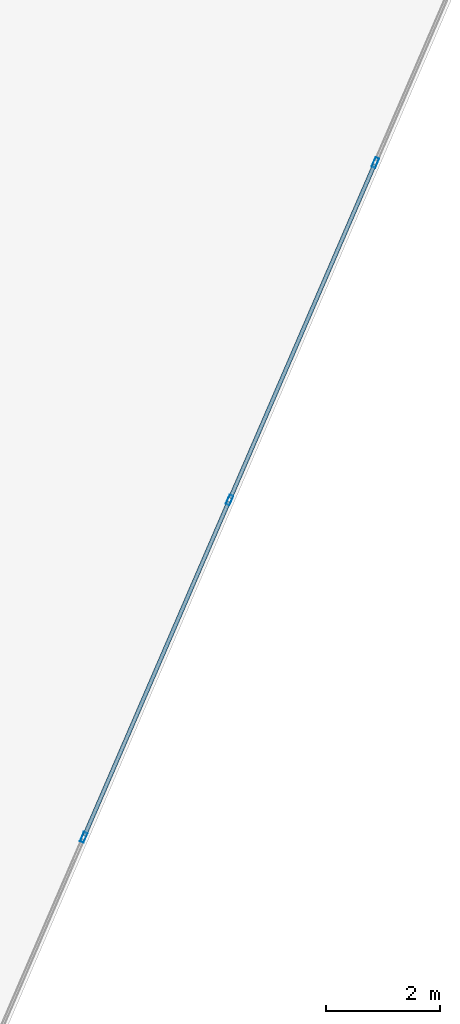
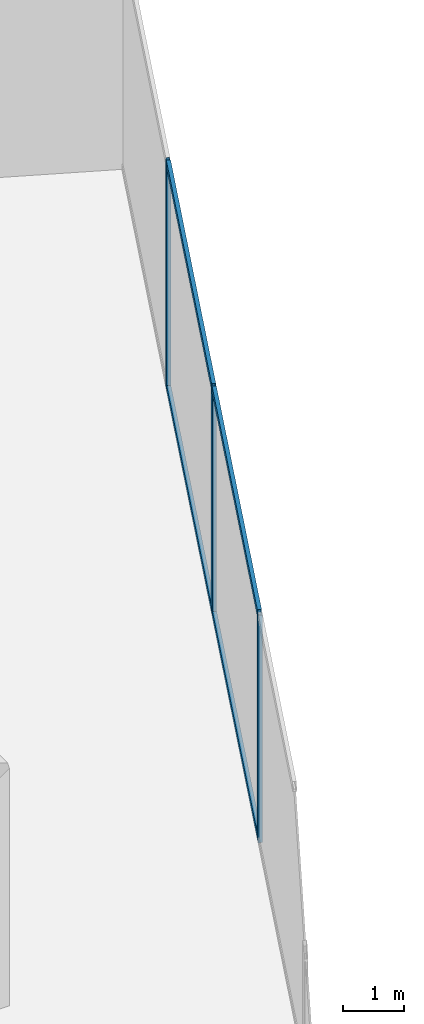
# One storey, part 11 of 24: 7 members, 1 element without a shape of its own.
"""IFC4 building model written with IfcOpenShell, lengths in metres."""

from ifc_helpers import new_model, si_unit, direction, frame, origin, origin_2d, place, context, subcontext, project, spatial, hollow_rectangle, extrude, source, transform, mapped, material, material_profile, profile_set, type_object, type_shapes, element, aggregate, save


model = new_model("IFC4")

# Units and contexts
model_context = context("Model", 3, precision=1e-05, world=origin(), true_north=direction((0.0, 1.0)))
body_context = subcontext(model_context, "Body", "Model", "MODEL_VIEW")
ifc_project = project(units=[si_unit("LENGTHUNIT", "METRE"), si_unit("AREAUNIT", "SQUARE_METRE"), si_unit("VOLUMEUNIT", "CUBIC_METRE"), si_unit("PLANEANGLEUNIT", "RADIAN"), si_unit("MASSUNIT", "GRAM", prefix="KILO")], contexts=[model_context])

# Site, building, storey
site_placement = place(None, origin())
site = spatial("IfcSite", under=ifc_project, at=site_placement, CompositionType="ELEMENT")
building_placement = place(site_placement, origin())
building = spatial("IfcBuilding", under=site, at=building_placement, Name="Krantzveldt Concourse Tower", CompositionType="ELEMENT")
storey_placement = place(building_placement, frame((0.0, 0.0, 141.39990234375)))
storey = spatial("IfcBuildingStorey", under=building, at=storey_placement, Name="L34", CompositionType="ELEMENT", Elevation=141.39990234375)

# Curtain wall, members
ifc_material = material(Name="Anodised aluminium 6063-T6", Category="aluminium")
curtain_wall_type = type_object("IfcCurtainWallType", Name="CW5", PredefinedType="USERDEFINED", material=ifc_material)
curtain_wall_placement = place(storey_placement, origin())
curtain_wall = element("IfcCurtainWall", 1, at=curtain_wall_placement, inside=storey, type_object=curtain_wall_type, Name="CW-L34-F07", ObjectType="UNITISED CURTAIN WALL", PredefinedType="USERDEFINED")
ifc_material_profile_1 = material_profile(ifc_material, hollow_rectangle(XDim=0.070068359375, YDim=0.139892578125, WallThickness=0.0048828125, at=origin_2d()), Name="Anodised aluminium 6063-T6", Category="aluminium")
ifc_profile_set_1 = profile_set([ifc_material_profile_1], Name="Anodised aluminium 6063-T6 - ALU-TRAN 140x70x5")
member_type_1 = type_object("IfcMemberType", Name="CW-TRN-150", PredefinedType="USERDEFINED", material=ifc_profile_set_1)
shared_shape_1 = source(origin(), body_context, "Body", "SweptSolid", [
    extrude(hollow_rectangle(XDim=0.070068359375, YDim=0.139892578125, WallThickness=0.0048828125, at=origin_2d()), origin(), (0.0, 0.0, 1.0), 6.396728515625),
])
member_1_placement = place(storey_placement, frame((57.410888671875, 17.48388671875, 0.03515625), z_axis=(0.396736471998, 0.917932552961, 0.0), x_axis=(-0.917932552961, 0.396736471998, 0.0)))
member_1 = element("IfcMember", 2, at=member_1_placement, type_object=member_type_1, Name="CW-SKY transom 4.1", ObjectType="TRANSOM", PredefinedType="USERDEFINED", context=body_context, shape_type="MappedRepresentation", body=[
    mapped(shared_shape_1, transform((0.0, 0.0, 0.0), x_axis=(1.0, 0.0, 0.0), y_axis=(0.0, 1.0, 0.0), z_axis=(0.0, 0.0, 1.0), scale=1.0)),
])
member_2_placement = place(storey_placement, frame((57.410888671875, 17.48388671875, 4.485107421875), z_axis=(0.396736471998, 0.917932552961, 0.0), x_axis=(-0.917932552961, 0.396736471998, 0.0)))
member_2 = element("IfcMember", 3, at=member_2_placement, type_object=member_type_1, Name="CW-SKY transom 4.2", ObjectType="TRANSOM", PredefinedType="USERDEFINED", context=body_context, shape_type="MappedRepresentation", body=[
    mapped(shared_shape_1, transform((0.0, 0.0, 0.0), x_axis=(1.0, 0.0, 0.0), y_axis=(0.0, 1.0, 0.0), z_axis=(0.0, 0.0, 1.0), scale=1.0)),
])
shared_shape_2 = source(origin(), body_context, "Body", "SweptSolid", [
    extrude(hollow_rectangle(XDim=0.070068359375, YDim=0.139892578125, WallThickness=0.0048828125, at=origin_2d()), origin(), (0.0, 0.0, 1.0), 6.396484375),
])
type_shapes(member_type_1, [shared_shape_1, shared_shape_2])
member_3_placement = place(storey_placement, frame((59.976318359375, 23.419921875, 0.03515625), z_axis=(0.396750371663, 0.91792654531, 0.0), x_axis=(-0.91792654531, 0.396750371663, 0.0)))
member_3 = element("IfcMember", 4, at=member_3_placement, type_object=member_type_1, Name="CW-SKY transom 5.1", ObjectType="TRANSOM", PredefinedType="USERDEFINED", context=body_context, shape_type="MappedRepresentation", body=[
    mapped(shared_shape_2, transform((0.0, 0.0, 0.0), x_axis=(1.0, 0.0, 0.0), y_axis=(0.0, 1.0, 0.0), z_axis=(0.0, 0.0, 1.0), scale=1.0)),
])
member_4_placement = place(storey_placement, frame((59.976318359375, 23.419921875, 4.485107421875), z_axis=(0.396750371663, 0.91792654531, 0.0), x_axis=(-0.91792654531, 0.396750371663, 0.0)))
member_4 = element("IfcMember", 5, at=member_4_placement, type_object=member_type_1, Name="CW-SKY transom 5.2", ObjectType="TRANSOM", PredefinedType="USERDEFINED", context=body_context, shape_type="MappedRepresentation", body=[
    mapped(shared_shape_2, transform((0.0, 0.0, 0.0), x_axis=(1.0, 0.0, 0.0), y_axis=(0.0, 1.0, 0.0), z_axis=(0.0, 0.0, 1.0), scale=1.0)),
])
ifc_material_profile_2 = material_profile(ifc_material, hollow_rectangle(XDim=0.070068359375, YDim=0.179931640625, WallThickness=0.0048828125, at=origin_2d()), Name="Anodised aluminium 6063-T6", Category="aluminium")
ifc_profile_set_2 = profile_set([ifc_material_profile_2], Name="Anodised aluminium 6063-T6 - ALU-MULL 180x70x5")
member_type_2 = type_object("IfcMemberType", Name="CW-MUL-180", PredefinedType="MULLION", material=ifc_profile_set_2)
shared_shape_3 = source(origin(), body_context, "Body", "SweptSolid", [
    extrude(hollow_rectangle(XDim=0.070068359375, YDim=0.179931640625, WallThickness=0.0048828125, at=origin_2d()), origin(), (0.0, 0.0, 1.0), 4.52001953125),
])
type_shapes(member_type_2, [shared_shape_3])
member_5_placement = place(storey_placement, frame((57.39697265625, 17.451904296875, 0.0), z_axis=(0.0, 0.0, 1.0), x_axis=(-0.917927822306, 0.396747417177, 0.0)))
member_5 = element("IfcMember", 6, at=member_5_placement, type_object=member_type_2, Name="CW-SKY mullion 4", PredefinedType="MULLION", context=body_context, shape_type="MappedRepresentation", body=[
    mapped(shared_shape_3, transform((0.0, 0.0, 0.0), x_axis=(1.0, 0.0, 0.0), y_axis=(0.0, 1.0, 0.0), z_axis=(0.0, 0.0, 1.0), scale=1.0)),
])
member_6_placement = place(storey_placement, frame((59.962646484375, 23.3876953125, 0.0), z_axis=(0.0, 0.0, 1.0), x_axis=(-0.917927822306, 0.396747417177, 0.0)))
member_6 = element("IfcMember", 7, at=member_6_placement, type_object=member_type_2, Name="CW-SKY mullion 5", PredefinedType="MULLION", context=body_context, shape_type="MappedRepresentation", body=[
    mapped(shared_shape_3, transform((0.0, 0.0, 0.0), x_axis=(1.0, 0.0, 0.0), y_axis=(0.0, 1.0, 0.0), z_axis=(0.0, 0.0, 1.0), scale=1.0)),
])
member_7_placement = place(storey_placement, frame((62.528076171875, 29.32373046875, 0.0), z_axis=(0.0, 0.0, 1.0), x_axis=(-0.917927822306, 0.396747417177, 0.0)))
member_7 = element("IfcMember", 8, at=member_7_placement, type_object=member_type_2, Name="CW-SKY mullion 6", PredefinedType="MULLION", context=body_context, shape_type="MappedRepresentation", body=[
    mapped(shared_shape_3, transform((0.0, 0.0, 0.0), x_axis=(1.0, 0.0, 0.0), y_axis=(0.0, 1.0, 0.0), z_axis=(0.0, 0.0, 1.0), scale=1.0)),
])
aggregate(curtain_wall, [member_5, member_6, member_7, member_1, member_2, member_3, member_4])

save(model, "model.ifc")
